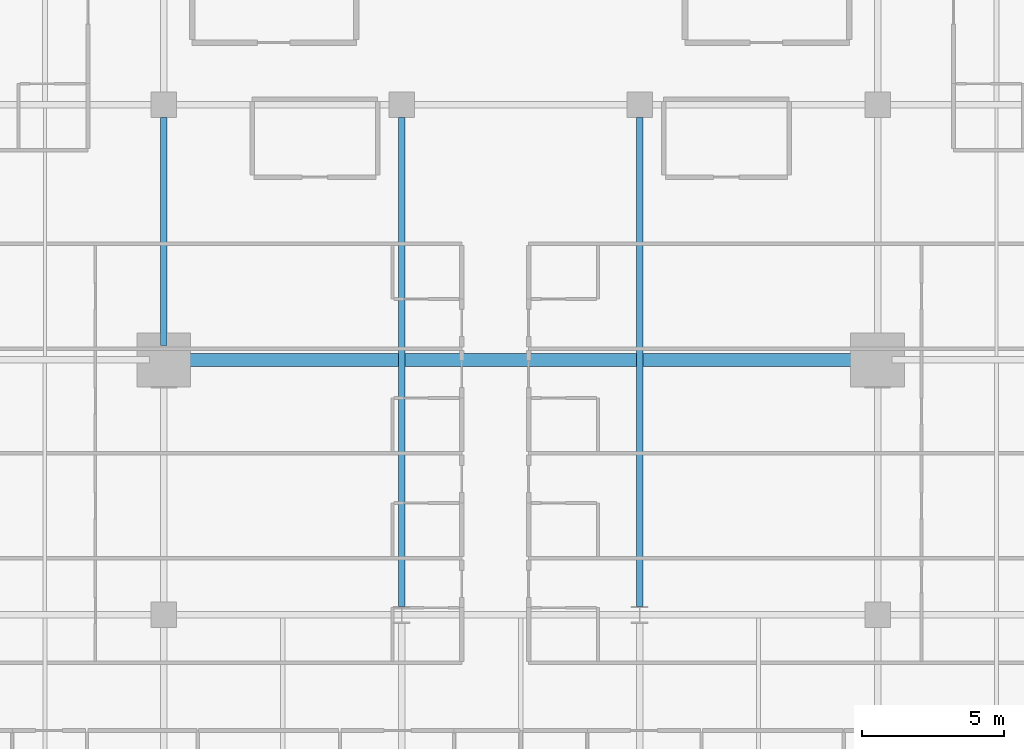
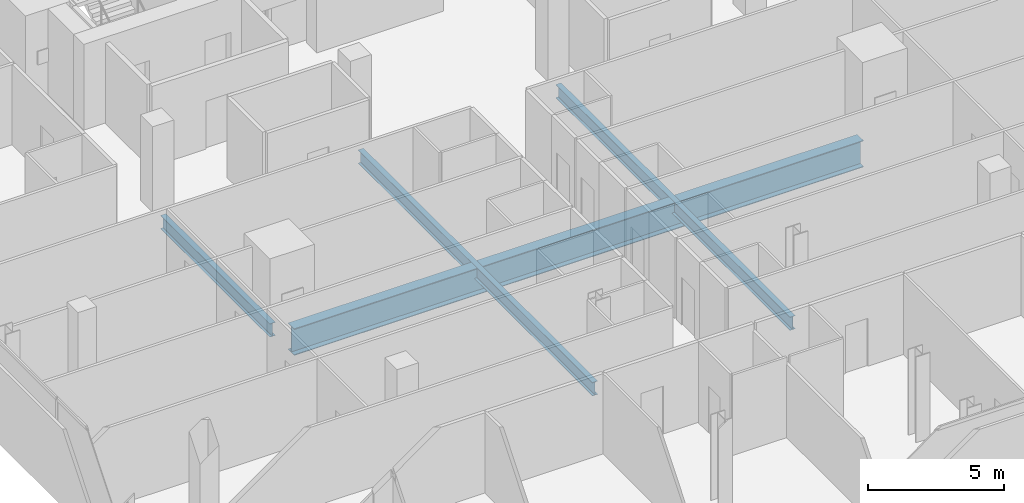
# One storey, part 11 of 34: 4 beams.
"""IFC4 building model written with IfcOpenShell, lengths in metres."""

from ifc_helpers import new_model, si_unit, direction, frame, origin, origin_2d, place, context, subcontext, project, spatial, i_section, extrude, material, material_profile, profile_set, type_object, element, save


model = new_model("IFC4")

# Units and contexts
model_context = context("Model", 3, precision=1e-05, world=origin(), true_north=direction((0.0, 1.0)))
body_context = subcontext(model_context, "Body", "Model", "MODEL_VIEW")
ifc_project = project(units=[si_unit("LENGTHUNIT", "METRE"), si_unit("AREAUNIT", "SQUARE_METRE"), si_unit("VOLUMEUNIT", "CUBIC_METRE"), si_unit("PLANEANGLEUNIT", "RADIAN"), si_unit("MASSUNIT", "GRAM", prefix="KILO")], contexts=[model_context])

# Site, building, storey
site_placement = place(None, origin())
site = spatial("IfcSite", under=ifc_project, at=site_placement, CompositionType="ELEMENT")
building_placement = place(site_placement, origin())
building = spatial("IfcBuilding", under=site, at=building_placement, Name="Maruvema Waterfront Hotel and Observation Tower", CompositionType="ELEMENT")
storey_placement = place(building_placement, frame((0.0, 0.0, 189.0)))
storey = spatial("IfcBuildingStorey", under=building, at=storey_placement, Name="L46", CompositionType="ELEMENT", Elevation=189.0)

# Beams
ifc_material_1 = material(Name="Steel ASTM A572 Grade 50", Category="steel")
ifc_material_profile_1 = material_profile(ifc_material_1, i_section(OverallWidth=0.22802734375, OverallDepth=0.60302734375, WebThickness=0.010498046875, FlangeThickness=0.014892578125, FilletRadius=0.01806640625, at=origin_2d()), Name="W610x101.0")
ifc_profile_set_1 = profile_set([ifc_material_profile_1], Name="Steel ASTM A572 Grade 50")
beam_type_1 = type_object("IfcBeamType", Name="Primary Floor Girder W610x101.0", PredefinedType="BEAM", material=ifc_profile_set_1)
beam_1_placement = place(storey_placement, frame((25.199951171875, 27.5, -0.54150390625), z_axis=(0.0, 1.0, 0.0), x_axis=(-1.0, 0.0, 0.0)))
element("IfcBeam", 1, at=beam_1_placement, inside=storey, type_object=beam_type_1, Name="L46 Floor Girder NS-12", PredefinedType="BEAM", context=body_context, shape_type="SweptSolid", body=[
    extrude(i_section(OverallWidth=0.22802734375, OverallDepth=0.60302734375, WebThickness=0.010498046875, FlangeThickness=0.014892578125, FilletRadius=0.01806640625, at=origin_2d()), origin(), (0.0, 0.0, 1.0), 8.050048828125),
])
for number, where, z_axis, x_axis, name in (
    (2, (33.60009765625, 18.300048828125, -0.54150390625), (0.0, 1.0, 0.0), (-1.0, 0.0, 0.0), "L46 Floor Girder NS-16"),
    (3, (42.0, 18.300048828125, -0.54150390625), (0.0, 1.0, 0.0), (-1.0, 0.0, 0.0), "L46 Floor Girder NS-19"),
):
    element("IfcBeam", number, at=place(storey_placement, frame(where, z_axis=z_axis, x_axis=x_axis)), inside=storey, type_object=beam_type_1, Name=name, PredefinedType="BEAM", context=body_context, shape_type="SweptSolid", body=[
        extrude(i_section(OverallWidth=0.22802734375, OverallDepth=0.60302734375, WebThickness=0.010498046875, FlangeThickness=0.014892578125, FilletRadius=0.01806640625, at=origin_2d()), origin(), (0.0, 0.0, 1.0), 17.25),
    ])
ifc_material_2 = material(Name="Steel ABNT NBR 7007 AR 415 (ASTM A572 Grade 50)", Category="steel")
ifc_material_profile_2 = material_profile(ifc_material_2, i_section(OverallWidth=0.449951171875, OverallDepth=1.199951171875, WebThickness=0.01904296875, FlangeThickness=0.031982421875, at=origin_2d()), Name="VS1200x366")
ifc_profile_set_2 = profile_set([ifc_material_profile_2], Name="Steel ABNT NBR 7007 AR 415 (ASTM A572 Grade 50)")
beam_type_2 = type_object("IfcBeamType", Name="Upper Setback Transfer Girder VS1200x366", PredefinedType="USERDEFINED", material=ifc_profile_set_2)
beam_2_placement = place(storey_placement, frame((25.699951171875, 27.0, -0.840087890625), z_axis=(1.0, 0.0, 0.0), x_axis=(0.0, 1.0, 0.0)))
element("IfcBeam", 4, at=beam_2_placement, inside=storey, type_object=beam_type_2, Name="L46 Floor Girder EW-20", ObjectType="TRANSFER GIRDER", PredefinedType="USERDEFINED", context=body_context, shape_type="SweptSolid", body=[
    extrude(i_section(OverallWidth=0.449951171875, OverallDepth=1.199951171875, WebThickness=0.01904296875, FlangeThickness=0.031982421875, at=origin_2d()), origin(), (0.0, 0.0, 1.0), 24.199951171875),
])

save(model, "model.ifc")
